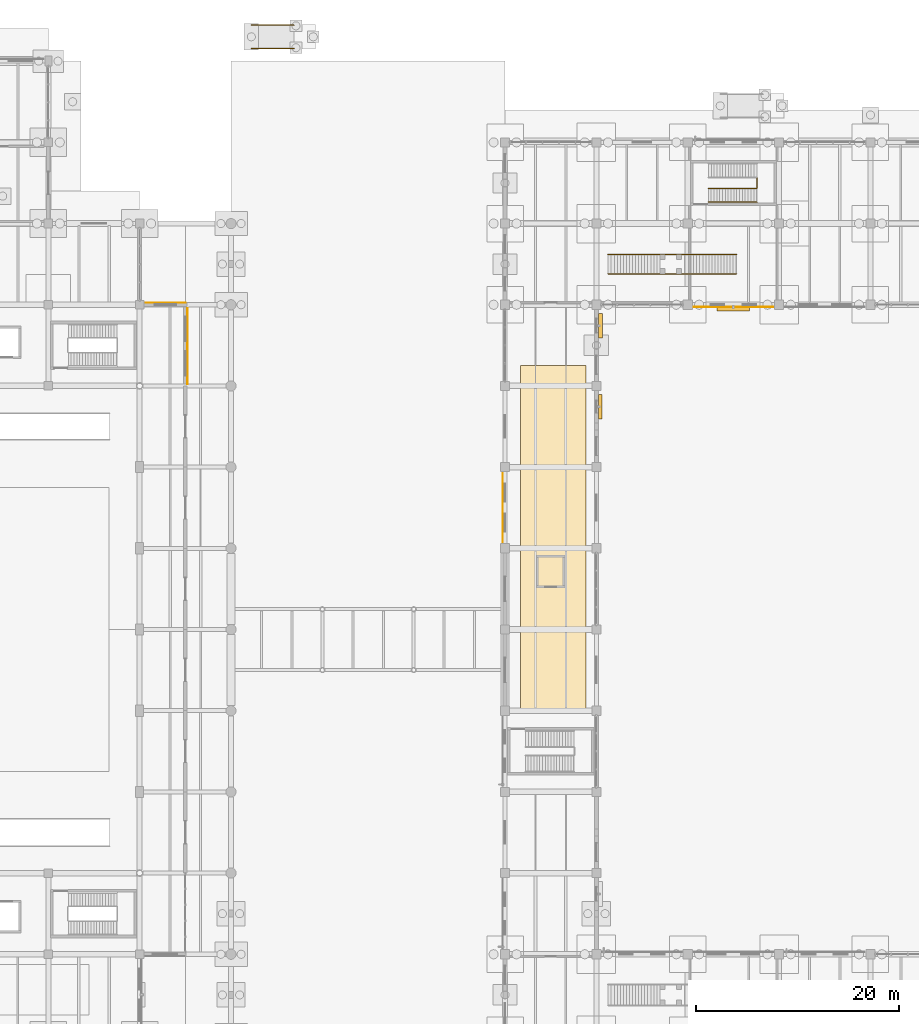
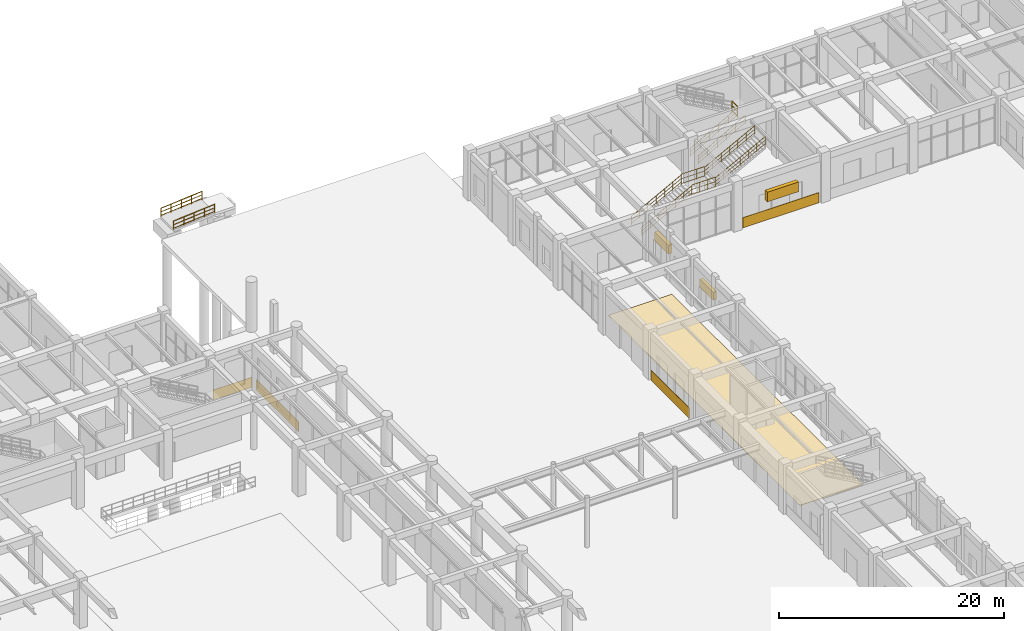
# One storey, part 115 of 121: 11 railings, 5 coverings, 3 shading devices.
"""IFC4 building model written with IfcOpenShell, lengths in metres."""

from ifc_helpers import new_model, si_unit, derived_unit, direction, frame, origin, origin_2d, place, context, subcontext, project, spatial, polyline, rectangle, circle, outline, extrude, material, layer, layer_set, type_object, element, save


model = new_model("IFC4")

# Units and contexts
model_context = context("Model", 3, precision=1e-05, world=origin(), true_north=direction((0.0, 1.0)))
body_context = subcontext(model_context, "Body", "Model", "MODEL_VIEW")
ifc_project = project(units=[si_unit("LENGTHUNIT", "METRE"), si_unit("AREAUNIT", "SQUARE_METRE"), si_unit("VOLUMEUNIT", "CUBIC_METRE"), si_unit("PLANEANGLEUNIT", "RADIAN"), si_unit("MASSUNIT", "GRAM", prefix="KILO"), derived_unit("THERMALTRANSMITTANCEUNIT", [(si_unit("MASSUNIT", "GRAM", prefix="KILO"), 1), (si_unit("TIMEUNIT", "SECOND"), -3), (si_unit("THERMODYNAMICTEMPERATUREUNIT", "KELVIN"), -1)])], contexts=[model_context])

# Site, building, storey
site_placement = place(None, origin())
site = spatial("IfcSite", under=ifc_project, at=site_placement, CompositionType="ELEMENT")
building_placement = place(site_placement, origin())
building = spatial("IfcBuilding", under=site, at=building_placement, Name="Zhenchuan Archway Interchange", CompositionType="ELEMENT")
storey_placement = place(building_placement, origin())
storey = spatial("IfcBuildingStorey", under=building, at=storey_placement, Name="L00", CompositionType="ELEMENT", Elevation=0.0)

# Coverings
ifc_material_1 = material(Name="Granite Stone Cladding", Category="masonry")
ifc_layer_1 = layer(ifc_material_1, 0.0400390625)
ifc_layer_set_1 = layer_set([ifc_layer_1], Name="Granite Stone Cladding")
covering_type_1 = type_object("IfcCoveringType", Name="COV_CLAD_GRANITE", PredefinedType="CLADDING", material=ifc_layer_set_1)
covering_1_placement = place(storey_placement, frame((65.551513671875, 88.197998046875, 0.0), z_axis=(0.0, 0.0, 1.0), x_axis=(1.0, 0.0, 0.0)))
element("IfcCovering", 1, at=covering_1_placement, inside=storey, type_object=covering_type_1, Name="Pearl-grey granite plinth band 031", PredefinedType="CLADDING", context=body_context, shape_type="SweptSolid", body=[
    extrude(rectangle(XDim=3.95703125, YDim=0.0400390625, at=origin_2d()), origin(), (0.0, 0.0, 1.0), 1.10009765625),
])
covering_2_placement = place(storey_placement, frame((67.697998046875, 83.909912109375, 0.0), z_axis=(0.0, 0.0, 1.0), x_axis=(0.0, -1.0, 0.0)))
element("IfcCovering", 2, at=covering_2_placement, inside=storey, type_object=covering_type_1, Name="Pearl-grey granite plinth band 032", PredefinedType="CLADDING", context=body_context, shape_type="SweptSolid", body=[
    extrude(rectangle(XDim=7.52392578125, YDim=0.0400390625, at=origin_2d()), origin(), (0.0, 0.0, 1.0), 1.10009765625),
])
covering_3_placement = place(storey_placement, frame((98.77197265625, 68.0, 0.0), z_axis=(0.0, 0.0, 1.0), x_axis=(0.0, 1.0, 0.0)))
element("IfcCovering", 3, at=covering_3_placement, inside=storey, type_object=covering_type_1, Name="Pearl-grey granite plinth band 094", PredefinedType="CLADDING", context=body_context, shape_type="SweptSolid", body=[
    extrude(rectangle(XDim=6.803955078125, YDim=0.0400390625, at=origin_2d()), origin(), (0.0, 0.0, 1.0), 1.10009765625),
])
covering_4_placement = place(storey_placement, frame((121.5, 87.77197265625, 0.0), z_axis=(0.0, 0.0, 1.0), x_axis=(-1.0, 0.0, 0.0)))
element("IfcCovering", 4, at=covering_4_placement, inside=storey, type_object=covering_type_1, Name="Pearl-grey granite plinth band 113", PredefinedType="CLADDING", context=body_context, shape_type="SweptSolid", body=[
    extrude(rectangle(XDim=7.803955078125, YDim=0.0400390625, at=origin_2d()), origin(), (0.0, 0.0, 1.0), 1.10009765625),
])
ifc_layer_2 = layer(ifc_material_1, 0.030029296875)
ifc_layer_set_2 = layer_set([ifc_layer_2], Name="Granite Stone Cladding")
covering_type_2 = type_object("IfcCoveringType", Name="COV_FLR_GRANITE", PredefinedType="FLOORING", material=ifc_layer_set_2)
covering_5_placement = place(storey_placement, origin())
element("IfcCovering", 5, at=covering_5_placement, inside=storey, type_object=covering_type_2, Name="Concourse floor finish panel 04 (L00)", PredefinedType="FLOORING", context=body_context, shape_type="SweptSolid", body=[
    extrude(outline(polyline([(100.5, 48.0), (107.0, 48.0), (107.0, 82.0), (100.5, 82.0), (100.5, 48.0)])), origin(), (0.0, 0.0, 1.0), 0.030029296875),
])

# Railings
ifc_material_2 = material(Name="Painted Galvanised Steel", Category="steel")
railing_type_1 = type_object("IfcRailingType", Name="RL_GUARD_1150", PredefinedType="GUARDRAIL", material=ifc_material_2)
railing_1_placement = place(storey_placement, frame((123.844970703125, 99.514892578125, 2.699951171875)))
element("IfcRailing", 6, at=railing_1_placement, inside=storey, type_object=railing_type_1, Name="Stair ST-O6 half-landing slot guard (L00)", PredefinedType="GUARDRAIL", context=body_context, shape_type="SweptSolid", body=[
    extrude(circle(Radius=0.02392578125, at=origin_2d()), frame((0.0, 0.0, 1.1259765625), z_axis=(0.0, 1.0, 0.0), x_axis=(-1.0, 0.0, 0.0)), (0.0, 0.0, 1.0), 0.97021484375),
    extrude(circle(Radius=0.01611328125, at=origin_2d()), frame((0.0, 0.0, 0.63232421875), z_axis=(0.0, 1.0, 0.0), x_axis=(-1.0, 0.0, 0.0)), (0.0, 0.0, 1.0), 0.97021484375),
    extrude(circle(Radius=0.01611328125, at=origin_2d()), frame((0.0, 0.0, 0.1201171875), z_axis=(0.0, 1.0, 0.0), x_axis=(-1.0, 0.0, 0.0)), (0.0, 0.0, 1.0), 0.97021484375),
    extrude(circle(Radius=0.02099609375, at=origin_2d()), origin(), (0.0, 0.0, 1.0), 1.1259765625),
    extrude(circle(Radius=0.02099609375, at=origin_2d()), frame((0.0, 0.97021484375, 0.0)), (0.0, 0.0, 1.0), 1.1259765625),
])
for number, where, name in (
    (7, (114.280029296875, 91.050048828125, 2.699951171875), "Stair ST-P6 landing guard 1"),
    (8, (114.280029296875, 92.949951171875, 2.699951171875), "Stair ST-P6 landing guard 2"),
):
    element("IfcRailing", number, at=place(storey_placement, frame(where)), inside=storey, type_object=railing_type_1, Name=name, PredefinedType="GUARDRAIL", context=body_context, shape_type="SweptSolid", body=[
        extrude(circle(Radius=0.02392578125, at=origin_2d()), frame((0.0, 0.0, 1.1259765625), z_axis=(1.0, 0.0, 0.0), x_axis=(0.0, 1.0, 0.0)), (0.0, 0.0, 1.0), 2.39990234375),
        extrude(circle(Radius=0.01611328125, at=origin_2d()), frame((0.0, 0.0, 0.63232421875), z_axis=(1.0, 0.0, 0.0), x_axis=(0.0, 1.0, 0.0)), (0.0, 0.0, 1.0), 2.39990234375),
        extrude(circle(Radius=0.01611328125, at=origin_2d()), frame((0.0, 0.0, 0.1201171875), z_axis=(1.0, 0.0, 0.0), x_axis=(0.0, 1.0, 0.0)), (0.0, 0.0, 1.0), 2.39990234375),
        extrude(circle(Radius=0.02099609375, at=origin_2d()), origin(), (0.0, 0.0, 1.0), 1.1259765625),
        extrude(circle(Radius=0.02099609375, at=origin_2d()), frame((0.800048828125, 0.0, 0.0)), (0.0, 0.0, 1.0), 1.1259765625),
        extrude(circle(Radius=0.02099609375, at=origin_2d()), frame((1.599853515625, 0.0, 0.0)), (0.0, 0.0, 1.0), 1.1259765625),
        extrude(circle(Radius=0.02099609375, at=origin_2d()), frame((2.39990234375, 0.0, 0.0)), (0.0, 0.0, 1.0), 1.1259765625),
    ])
ifc_material_3 = material(Name="Stainless Steel 304", Category="steel")
railing_type_2 = type_object("IfcRailingType", Name="RL_HAND_920", PredefinedType="HANDRAIL", material=ifc_material_3)
for number, where, name in (
    (9, (119.02490234375, 98.10498046875, 0.14990234375), "Stair ST-O6 handrail 1 (L00)"),
    (10, (119.02490234375, 99.47509765625, 0.14990234375), "Stair ST-O6 handrail 2 (L00)"),
):
    element("IfcRailing", number, at=place(storey_placement, frame(where)), inside=storey, type_object=railing_type_2, Name=name, PredefinedType="HANDRAIL", context=body_context, shape_type="SweptSolid", body=[
        extrude(circle(Radius=0.02392578125, at=origin_2d()), frame((0.0, 0.0, 0.89599609375), z_axis=(0.87068456393, 0.0, 0.491841834469), x_axis=(0.0, 1.0, 0.0)), (0.0, 0.0, 1.0), 5.489990234375),
        extrude(circle(Radius=0.01611328125, at=origin_2d()), frame((0.0, 0.0, 0.505859375), z_axis=(0.87068456393, 0.0, 0.491841834469), x_axis=(0.0, 1.0, 0.0)), (0.0, 0.0, 1.0), 5.489990234375),
        extrude(circle(Radius=0.01611328125, at=origin_2d()), frame((0.0, 0.0, 0.1201171875), z_axis=(0.87068456393, 0.0, 0.491841834469), x_axis=(0.0, 1.0, 0.0)), (0.0, 0.0, 1.0), 5.489990234375),
        extrude(circle(Radius=0.02099609375, at=origin_2d()), origin(), (0.0, 0.0, 1.0), 0.89599609375),
        extrude(circle(Radius=0.02099609375, at=origin_2d()), frame((0.9560546875, 0.0, 0.5400390625)), (0.0, 0.0, 1.0), 0.89599609375),
        extrude(circle(Radius=0.02099609375, at=origin_2d()), frame((1.912109375, 0.0, 1.080078125)), (0.0, 0.0, 1.0), 0.89599609375),
        extrude(circle(Radius=0.02099609375, at=origin_2d()), frame((2.867919921875, 0.0, 1.6201171875)), (0.0, 0.0, 1.0), 0.89599609375),
        extrude(circle(Radius=0.02099609375, at=origin_2d()), frame((3.823974609375, 0.0, 2.16015625)), (0.0, 0.0, 1.0), 0.89599609375),
        extrude(circle(Radius=0.02099609375, at=origin_2d()), frame((4.780029296875, 0.0, 2.7001953125)), (0.0, 0.0, 1.0), 0.89599609375),
    ])
railing_2_placement = place(storey_placement, frame((109.159912109375, 91.050048828125, 0.14990234375)))
element("IfcRailing", 11, at=railing_2_placement, inside=storey, type_object=railing_type_2, Name="Stair ST-P6 lower flight handrail 1", PredefinedType="HANDRAIL", context=body_context, shape_type="SweptSolid", body=[
    extrude(circle(Radius=0.02392578125, at=origin_2d()), frame((0.0, 0.0, 0.89599609375), z_axis=(0.884533663238, 0.0, 0.466476364458), x_axis=(0.0, 1.0, 0.0)), (0.0, 0.0, 1.0), 5.78857421875),
    extrude(circle(Radius=0.01611328125, at=origin_2d()), frame((0.0, 0.0, 0.505859375), z_axis=(0.884533663238, 0.0, 0.466476364458), x_axis=(0.0, 1.0, 0.0)), (0.0, 0.0, 1.0), 5.78857421875),
    extrude(circle(Radius=0.01611328125, at=origin_2d()), frame((0.0, 0.0, 0.1201171875), z_axis=(0.884533663238, 0.0, 0.466476364458), x_axis=(0.0, 1.0, 0.0)), (0.0, 0.0, 1.0), 5.78857421875),
    extrude(circle(Radius=0.02099609375, at=origin_2d()), origin(), (0.0, 0.0, 1.0), 0.89599609375),
    extrude(circle(Radius=0.02099609375, at=origin_2d()), frame((0.853271484375, 0.0, 0.449951171875)), (0.0, 0.0, 1.0), 0.89599609375),
    extrude(circle(Radius=0.02099609375, at=origin_2d()), frame((1.706787109375, 0.0, 0.900146484375)), (0.0, 0.0, 1.0), 0.89599609375),
    extrude(circle(Radius=0.02099609375, at=origin_2d()), frame((2.56005859375, 0.0, 1.35009765625)), (0.0, 0.0, 1.0), 0.89599609375),
    extrude(circle(Radius=0.02099609375, at=origin_2d()), frame((3.413330078125, 0.0, 1.800048828125)), (0.0, 0.0, 1.0), 0.89599609375),
    extrude(circle(Radius=0.02099609375, at=origin_2d()), frame((4.266845703125, 0.0, 2.250244140625)), (0.0, 0.0, 1.0), 0.89599609375),
    extrude(circle(Radius=0.02099609375, at=origin_2d()), frame((5.1201171875, 0.0, 2.7001953125)), (0.0, 0.0, 1.0), 0.89599609375),
])
railing_3_placement = place(storey_placement, frame((116.679931640625, 91.050048828125, 2.85009765625)))
element("IfcRailing", 12, at=railing_3_placement, inside=storey, type_object=railing_type_2, Name="Stair ST-P6 upper flight handrail 1", PredefinedType="HANDRAIL", context=body_context, shape_type="SweptSolid", body=[
    extrude(circle(Radius=0.02392578125, at=origin_2d()), frame((0.0, 0.0, 0.89599609375), z_axis=(0.884551065741, 0.0, 0.466443364297), x_axis=(0.0, 1.0, 0.0)), (0.0, 0.0, 1.0), 5.788330078125),
    extrude(circle(Radius=0.01611328125, at=origin_2d()), frame((0.0, 0.0, 0.505859375), z_axis=(0.884551065741, 0.0, 0.466443364297), x_axis=(0.0, 1.0, 0.0)), (0.0, 0.0, 1.0), 5.788330078125),
    extrude(circle(Radius=0.01611328125, at=origin_2d()), frame((0.0, 0.0, 0.1201171875), z_axis=(0.884551065741, 0.0, 0.466443364297), x_axis=(0.0, 1.0, 0.0)), (0.0, 0.0, 1.0), 5.788330078125),
    extrude(circle(Radius=0.02099609375, at=origin_2d()), origin(), (0.0, 0.0, 1.0), 0.89599609375),
    extrude(circle(Radius=0.02099609375, at=origin_2d()), frame((0.853271484375, 0.0, 0.449951171875)), (0.0, 0.0, 1.0), 0.89599609375),
    extrude(circle(Radius=0.02099609375, at=origin_2d()), frame((1.706787109375, 0.0, 0.89990234375)), (0.0, 0.0, 1.0), 0.89599609375),
    extrude(circle(Radius=0.02099609375, at=origin_2d()), frame((2.56005859375, 0.0, 1.35009765625)), (0.0, 0.0, 1.0), 0.89599609375),
    extrude(circle(Radius=0.02099609375, at=origin_2d()), frame((3.413330078125, 0.0, 1.800048828125)), (0.0, 0.0, 1.0), 0.89599609375),
    extrude(circle(Radius=0.02099609375, at=origin_2d()), frame((4.266845703125, 0.0, 2.25)), (0.0, 0.0, 1.0), 0.89599609375),
    extrude(circle(Radius=0.02099609375, at=origin_2d()), frame((5.1201171875, 0.0, 2.699951171875)), (0.0, 0.0, 1.0), 0.89599609375),
])
railing_4_placement = place(storey_placement, frame((109.159912109375, 92.949951171875, 0.14990234375)))
element("IfcRailing", 13, at=railing_4_placement, inside=storey, type_object=railing_type_2, Name="Stair ST-P6 lower flight handrail 2", PredefinedType="HANDRAIL", context=body_context, shape_type="SweptSolid", body=[
    extrude(circle(Radius=0.02392578125, at=origin_2d()), frame((0.0, 0.0, 0.89599609375), z_axis=(0.884533663238, 0.0, 0.466476364458), x_axis=(0.0, 1.0, 0.0)), (0.0, 0.0, 1.0), 5.78857421875),
    extrude(circle(Radius=0.01611328125, at=origin_2d()), frame((0.0, 0.0, 0.505859375), z_axis=(0.884533663238, 0.0, 0.466476364458), x_axis=(0.0, 1.0, 0.0)), (0.0, 0.0, 1.0), 5.78857421875),
    extrude(circle(Radius=0.01611328125, at=origin_2d()), frame((0.0, 0.0, 0.1201171875), z_axis=(0.884533663238, 0.0, 0.466476364458), x_axis=(0.0, 1.0, 0.0)), (0.0, 0.0, 1.0), 5.78857421875),
    extrude(circle(Radius=0.02099609375, at=origin_2d()), origin(), (0.0, 0.0, 1.0), 0.89599609375),
    extrude(circle(Radius=0.02099609375, at=origin_2d()), frame((0.853271484375, 0.0, 0.449951171875)), (0.0, 0.0, 1.0), 0.89599609375),
    extrude(circle(Radius=0.02099609375, at=origin_2d()), frame((1.706787109375, 0.0, 0.900146484375)), (0.0, 0.0, 1.0), 0.89599609375),
    extrude(circle(Radius=0.02099609375, at=origin_2d()), frame((2.56005859375, 0.0, 1.35009765625)), (0.0, 0.0, 1.0), 0.89599609375),
    extrude(circle(Radius=0.02099609375, at=origin_2d()), frame((3.413330078125, 0.0, 1.800048828125)), (0.0, 0.0, 1.0), 0.89599609375),
    extrude(circle(Radius=0.02099609375, at=origin_2d()), frame((4.266845703125, 0.0, 2.250244140625)), (0.0, 0.0, 1.0), 0.89599609375),
    extrude(circle(Radius=0.02099609375, at=origin_2d()), frame((5.1201171875, 0.0, 2.7001953125)), (0.0, 0.0, 1.0), 0.89599609375),
])
railing_5_placement = place(storey_placement, frame((116.679931640625, 92.949951171875, 2.85009765625)))
element("IfcRailing", 14, at=railing_5_placement, inside=storey, type_object=railing_type_2, Name="Stair ST-P6 upper flight handrail 2", PredefinedType="HANDRAIL", context=body_context, shape_type="SweptSolid", body=[
    extrude(circle(Radius=0.02392578125, at=origin_2d()), frame((0.0, 0.0, 0.89599609375), z_axis=(0.884551065741, 0.0, 0.466443364297), x_axis=(0.0, 1.0, 0.0)), (0.0, 0.0, 1.0), 5.788330078125),
    extrude(circle(Radius=0.01611328125, at=origin_2d()), frame((0.0, 0.0, 0.505859375), z_axis=(0.884551065741, 0.0, 0.466443364297), x_axis=(0.0, 1.0, 0.0)), (0.0, 0.0, 1.0), 5.788330078125),
    extrude(circle(Radius=0.01611328125, at=origin_2d()), frame((0.0, 0.0, 0.1201171875), z_axis=(0.884551065741, 0.0, 0.466443364297), x_axis=(0.0, 1.0, 0.0)), (0.0, 0.0, 1.0), 5.788330078125),
    extrude(circle(Radius=0.02099609375, at=origin_2d()), origin(), (0.0, 0.0, 1.0), 0.89599609375),
    extrude(circle(Radius=0.02099609375, at=origin_2d()), frame((0.853271484375, 0.0, 0.449951171875)), (0.0, 0.0, 1.0), 0.89599609375),
    extrude(circle(Radius=0.02099609375, at=origin_2d()), frame((1.706787109375, 0.0, 0.89990234375)), (0.0, 0.0, 1.0), 0.89599609375),
    extrude(circle(Radius=0.02099609375, at=origin_2d()), frame((2.56005859375, 0.0, 1.35009765625)), (0.0, 0.0, 1.0), 0.89599609375),
    extrude(circle(Radius=0.02099609375, at=origin_2d()), frame((3.413330078125, 0.0, 1.800048828125)), (0.0, 0.0, 1.0), 0.89599609375),
    extrude(circle(Radius=0.02099609375, at=origin_2d()), frame((4.266845703125, 0.0, 2.25)), (0.0, 0.0, 1.0), 0.89599609375),
    extrude(circle(Radius=0.02099609375, at=origin_2d()), frame((5.1201171875, 0.0, 2.699951171875)), (0.0, 0.0, 1.0), 0.89599609375),
])
for number, where, name in (
    (15, (74.0, 113.260009765625, -0.35009765625), "RMP-A2 handrail 1"),
    (16, (74.0, 115.5400390625, -0.35009765625), "RMP-A2 handrail 2"),
):
    element("IfcRailing", number, at=place(storey_placement, frame(where)), inside=storey, type_object=railing_type_2, Name=name, PredefinedType="HANDRAIL", context=body_context, shape_type="SweptSolid", body=[
        extrude(circle(Radius=0.02392578125, at=origin_2d()), frame((0.0, 0.0, 0.89599609375), z_axis=(0.996543760423, 0.0, 0.083069450238), x_axis=(0.0, 1.0, 0.0)), (0.0, 0.0, 1.0), 4.214599609375),
        extrude(circle(Radius=0.01611328125, at=origin_2d()), frame((0.0, 0.0, 0.505859375), z_axis=(0.996543760423, 0.0, 0.083069450238), x_axis=(0.0, 1.0, 0.0)), (0.0, 0.0, 1.0), 4.214599609375),
        extrude(circle(Radius=0.01611328125, at=origin_2d()), frame((0.0, 0.0, 0.1201171875), z_axis=(0.996543760423, 0.0, 0.083069450238), x_axis=(0.0, 1.0, 0.0)), (0.0, 0.0, 1.0), 4.214599609375),
        extrude(circle(Radius=0.02099609375, at=origin_2d()), origin(), (0.0, 0.0, 1.0), 0.89599609375),
        extrude(circle(Radius=0.02099609375, at=origin_2d()), frame((1.050048828125, 0.0, 0.08740234375)), (0.0, 0.0, 1.0), 0.89599609375),
        extrude(circle(Radius=0.02099609375, at=origin_2d()), frame((2.10009765625, 0.0, 0.175048828125)), (0.0, 0.0, 1.0), 0.89599609375),
        extrude(circle(Radius=0.02099609375, at=origin_2d()), frame((3.14990234375, 0.0, 0.2626953125)), (0.0, 0.0, 1.0), 0.89599609375),
        extrude(circle(Radius=0.02099609375, at=origin_2d()), frame((4.199951171875, 0.0, 0.35009765625)), (0.0, 0.0, 1.0), 0.89599609375),
    ])

# Shading devices
ifc_material_4 = material(Name="Anodised Aluminium", Category="aluminium")
shading_device_type_1 = type_object("IfcShadingDeviceType", Name="SHD_LOUVRE_1", PredefinedType="JALOUSIE", material=ifc_material_4)
shading_device_1_placement = place(storey_placement, frame((108.39404296875, 85.9375, 2.27490234375), z_axis=(0.0, 0.0, 1.0), x_axis=(0.0, -1.0, 0.0)))
element("IfcShadingDevice", 17, at=shading_device_1_placement, inside=storey, type_object=shading_device_type_1, Name="Monsoon storm-louvre jalousie L00-024", PredefinedType="JALOUSIE", context=body_context, shape_type="SweptSolid", body=[
    extrude(rectangle(XDim=2.428955078125, YDim=0.3798828125, at=origin_2d()), origin(), (0.0, 0.0, 1.0), 0.949951171875),
])
shading_device_type_2 = type_object("IfcShadingDeviceType", Name="SHD_LOUVRE_2", PredefinedType="JALOUSIE", material=ifc_material_4)
shading_device_2_placement = place(storey_placement, frame((108.3740234375, 77.9375, 2.125), z_axis=(0.0, 0.0, 1.0), x_axis=(0.0, -1.0, 0.0)))
element("IfcShadingDevice", 18, at=shading_device_2_placement, inside=storey, type_object=shading_device_type_2, Name="Monsoon storm-louvre jalousie L00-025", PredefinedType="JALOUSIE", context=body_context, shape_type="SweptSolid", body=[
    extrude(rectangle(XDim=2.39990234375, YDim=0.340087890625, at=origin_2d()), origin(), (0.0, 0.0, 1.0), 0.85009765625),
])
shading_device_type_3 = type_object("IfcShadingDeviceType", Name="SHD_LOUVRE_3", PredefinedType="JALOUSIE", material=ifc_material_4)
shading_device_3_placement = place(storey_placement, frame((121.5, 87.595947265625, 2.22509765625), z_axis=(0.0, 0.0, 1.0), x_axis=(-1.0, 0.0, 0.0)))
element("IfcShadingDevice", 19, at=shading_device_3_placement, inside=storey, type_object=shading_device_type_3, Name="Monsoon storm-louvre jalousie L00-023", PredefinedType="JALOUSIE", context=body_context, shape_type="SweptSolid", body=[
    extrude(rectangle(XDim=3.199951171875, YDim=0.39990234375, at=origin_2d()), origin(), (0.0, 0.0, 1.0), 1.050048828125),
])

save(model, "model.ifc")
